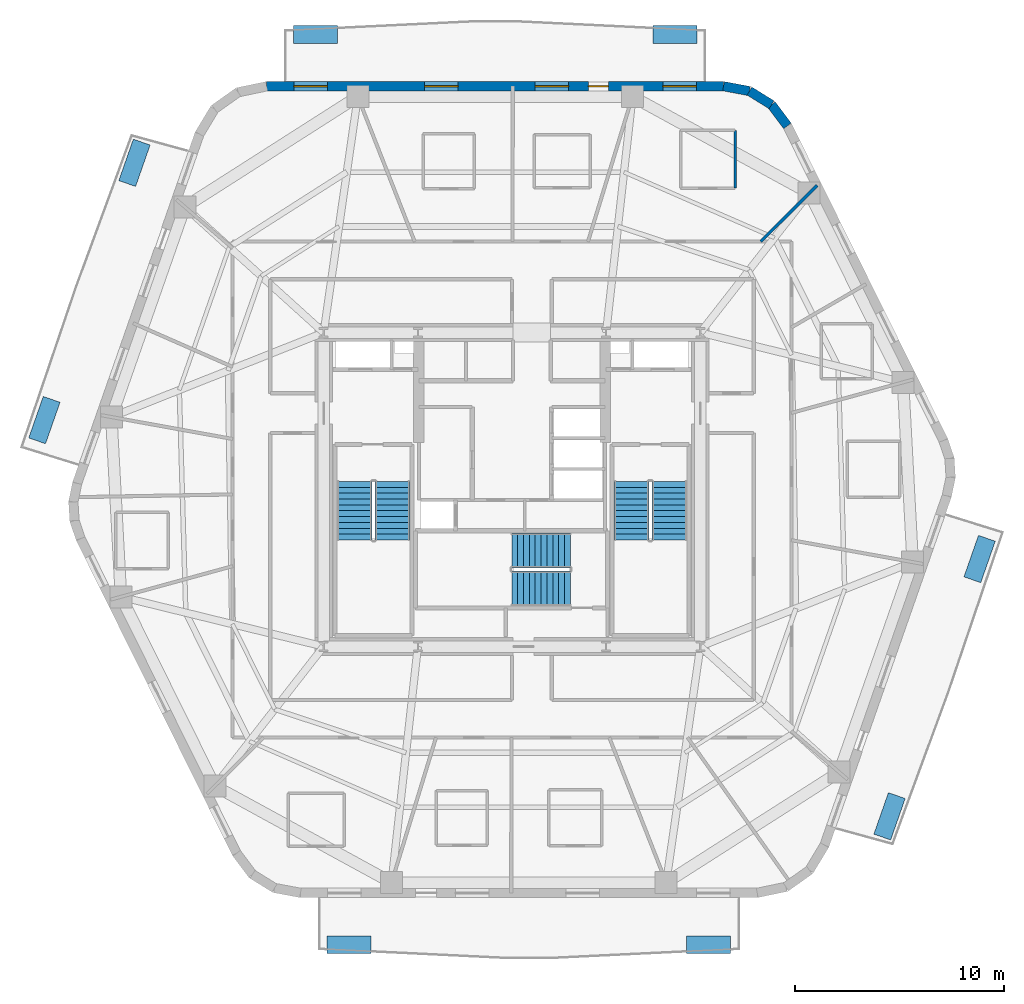
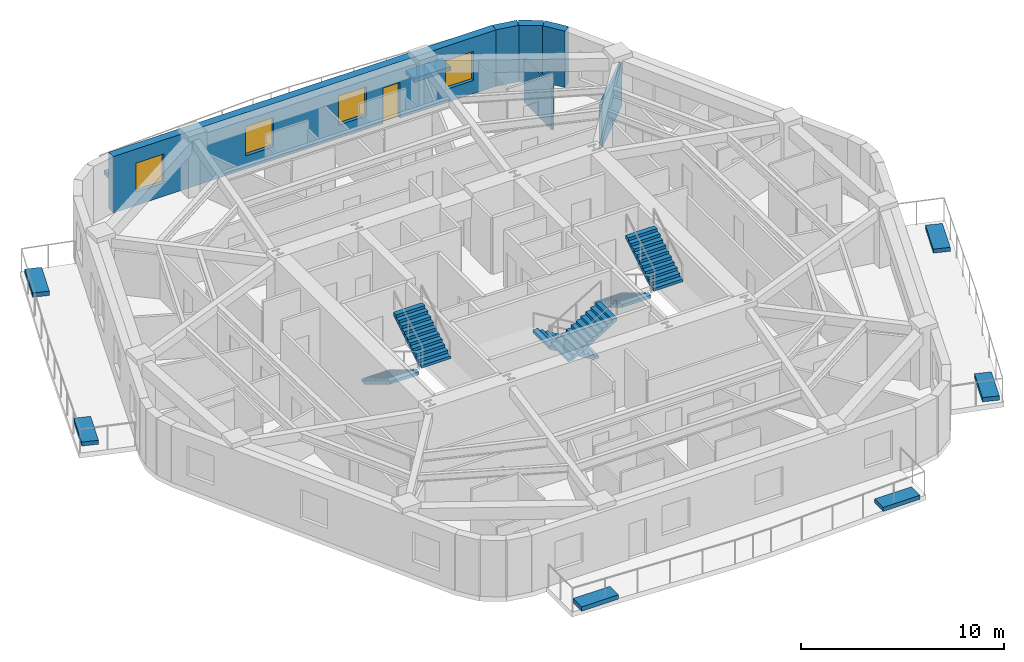
# One storey, part 7 of 11: 8 discrete accessories, 6 stair flights, 6 walls, 4 windows, 1 door, 5 openings, 3 elements without a shape of their own.
"""IFC4 building model written with IfcOpenShell, lengths in metres."""

from ifc_helpers import new_model, si_unit, direction, frame, frame_2d, origin, origin_2d, place, context, subcontext, project, spatial, polyline, rectangle, outline, extrude, material, layer, layer_set, type_object, element, fill, aggregate, save


model = new_model("IFC4")

# Units and contexts
model_context = context("Model", 3, precision=1e-05, world=origin(), true_north=direction((0.0, 1.0)))
body_context = subcontext(model_context, "Body", "Model", "MODEL_VIEW")
ifc_project = project(units=[si_unit("LENGTHUNIT", "METRE"), si_unit("AREAUNIT", "SQUARE_METRE"), si_unit("VOLUMEUNIT", "CUBIC_METRE"), si_unit("PLANEANGLEUNIT", "RADIAN"), si_unit("MASSUNIT", "GRAM", prefix="KILO")], contexts=[model_context])

# Site, building, storey
site_placement = place(None, origin())
site = spatial("IfcSite", under=ifc_project, at=site_placement, CompositionType="ELEMENT")
building_placement = place(site_placement, origin())
building = spatial("IfcBuilding", under=site, at=building_placement, Name="Kilnhurst Terrace Hotel", CompositionType="ELEMENT")
storey_placement = place(building_placement, frame((0.0, 0.0, 159.10009765625)))
storey = spatial("IfcBuildingStorey", under=building, at=storey_placement, Name="L39", CompositionType="ELEMENT", Elevation=159.10009765625)

# Walls
ifc_material_1 = material(Name="Precast concrete C40/50", Category="concrete")
ifc_layer_1 = layer(ifc_material_1, 0.449951171875, Name="Precast concrete C40/50")
ifc_layer_set_1 = layer_set([ifc_layer_1], Name="Precast concrete C40/50")
wall_type_1 = type_object("IfcWallType", Name="WL-BRK-450", PredefinedType="SOLIDWALL", material=ifc_layer_set_1)
wall_1_placement = place(storey_placement, frame((13.162353515625, 17.380615234375, 0.0), z_axis=(0.0, 0.0, 1.0), x_axis=(-0.601515770517, 0.798860925205, 0.0)))
element("IfcWall", 1, at=wall_1_placement, inside=storey, type_object=wall_type_1, Name="L39 Rounded Corner Brick Wall C4.1", PredefinedType="SOLIDWALL", context=body_context, shape_type="SweptSolid", body=[
    extrude(rectangle(XDim=1.261962890625, YDim=0.449951171875, at=frame_2d((0.630859375, 0.0))), origin(), (0.0, 0.0, 1.0), 3.39990234375),
])
wall_2_placement = place(storey_placement, frame((12.4033203125, 18.388671875, 0.0), z_axis=(0.0, 0.0, 1.0), x_axis=(-0.849795170926, 0.527113049991, 0.0)))
element("IfcWall", 2, at=wall_2_placement, inside=storey, type_object=wall_type_1, Name="L39 Rounded Corner Brick Wall C4.2", PredefinedType="SOLIDWALL", context=body_context, shape_type="SweptSolid", body=[
    extrude(rectangle(XDim=1.24072265625, YDim=0.449951171875, at=frame_2d((0.620361328125, 0.0))), origin(), (0.0, 0.0, 1.0), 3.39990234375),
])
wall_3_placement = place(storey_placement, frame((11.348876953125, 19.042724609375, 0.0), z_axis=(0.0, 0.0, 1.0), x_axis=(-0.982931267051, 0.183973161772, 0.0)))
element("IfcWall", 3, at=wall_3_placement, inside=storey, type_object=wall_type_1, Name="L39 Rounded Corner Brick Wall C4.3", PredefinedType="SOLIDWALL", context=body_context, shape_type="SweptSolid", body=[
    extrude(rectangle(XDim=1.261962890625, YDim=0.449951171875, at=frame_2d((0.630859375, 0.0))), origin(), (0.0, 0.0, 1.0), 3.39990234375),
])

# Wall, openings, door, windows
wall_4_placement = place(storey_placement, frame((10.1083984375, 19.27490234375, 0.0), z_axis=(0.0, 0.0, 1.0), x_axis=(-1.0, 0.0, 0.0)))
wall_4 = element("IfcWall", 4, at=wall_4_placement, inside=storey, type_object=wall_type_1, Name="L39 Exterior Brick Facade Wall F4", PredefinedType="SOLIDWALL", context=body_context, shape_type="SweptSolid", body=[
    extrude(rectangle(XDim=21.828857421875, YDim=0.449951171875, at=frame_2d((10.91455078125, 0.0))), origin(), (0.0, 0.0, 1.0), 3.39990234375),
])
opening_1_placement = place(wall_4_placement, frame((5.5029296875, 0.0, 0.0)))
opening_1 = element("IfcOpeningElement", 5, at=opening_1_placement, cuts=wall_4, Name="Opening BD-950", PredefinedType="OPENING", context=body_context, shape_type="SweptSolid", body=[
    extrude(rectangle(XDim=0.949951171875, YDim=2.14990234375, at=frame_2d((0.47509765625, 1.074951171875))), frame((0.0, 0.23486328125, 0.0), z_axis=(0.0, -1.0, 0.0), x_axis=(1.0, 0.0, 0.0)), (0.0, 0.0, 1.0), 0.469970703125),
])
opening_2_placement = place(wall_4_placement, frame((1.297119140625, 0.0, 0.800048828125)))
opening_2 = element("IfcOpeningElement", 6, at=opening_2_placement, cuts=wall_4, Name="Opening W-05", PredefinedType="OPENING", context=body_context, shape_type="SweptSolid", body=[
    extrude(rectangle(XDim=1.60009765625, YDim=1.75, at=frame_2d((0.800048828125, 0.875))), frame((0.0, 0.23486328125, 0.0), z_axis=(0.0, -1.0, 0.0), x_axis=(1.0, 0.0, 0.0)), (0.0, 0.0, 1.0), 0.469970703125),
])
opening_3_placement = place(wall_4_placement, frame((7.402099609375, 0.0, 0.800048828125)))
opening_3 = element("IfcOpeningElement", 7, at=opening_3_placement, cuts=wall_4, Name="Opening W-05", PredefinedType="OPENING", context=body_context, shape_type="SweptSolid", body=[
    extrude(rectangle(XDim=1.60009765625, YDim=1.75, at=frame_2d((0.800048828125, 0.875))), frame((0.0, 0.23486328125, 0.0), z_axis=(0.0, -1.0, 0.0), x_axis=(1.0, 0.0, 0.0)), (0.0, 0.0, 1.0), 0.469970703125),
])
opening_4_placement = place(wall_4_placement, frame((12.68408203125, 0.0, 0.800048828125)))
opening_4 = element("IfcOpeningElement", 8, at=opening_4_placement, cuts=wall_4, Name="Opening W-05", PredefinedType="OPENING", context=body_context, shape_type="SweptSolid", body=[
    extrude(rectangle(XDim=1.60009765625, YDim=1.75, at=frame_2d((0.800048828125, 0.875))), frame((0.0, 0.23486328125, 0.0), z_axis=(0.0, -1.0, 0.0), x_axis=(1.0, 0.0, 0.0)), (0.0, 0.0, 1.0), 0.469970703125),
])
opening_5_placement = place(wall_4_placement, frame((18.93310546875, 0.0, 0.800048828125)))
opening_5 = element("IfcOpeningElement", 9, at=opening_5_placement, cuts=wall_4, Name="Opening W-05", PredefinedType="OPENING", context=body_context, shape_type="SweptSolid", body=[
    extrude(rectangle(XDim=1.60009765625, YDim=1.75, at=frame_2d((0.800048828125, 0.875))), frame((0.0, 0.23486328125, 0.0), z_axis=(0.0, -1.0, 0.0), x_axis=(1.0, 0.0, 0.0)), (0.0, 0.0, 1.0), 0.469970703125),
])
ifc_material_2 = material(Name="Thermally Broken Bronze Aluminium Alloy 6063-T6 and Laminated Glass", Category="aluminium")
door_type = type_object("IfcDoorType", Name="DR-EXT-BAL-950", OperationType="NOTDEFINED", PredefinedType="DOOR", material=ifc_material_2)
door_placement = place(opening_1_placement, origin())
door = element("IfcDoor", 10, at=door_placement, inside=storey, type_object=door_type, Name="L39 Planted Balcony Door BAL-L2A", OperationType="SINGLE_SWING_RIGHT", OverallHeight=2.14990234375, OverallWidth=0.949951171875, PredefinedType="DOOR", context=body_context, shape_type="SweptSolid", body=[
    extrude(rectangle(XDim=0.949951171875, YDim=2.14990234375, at=frame_2d((0.47509765625, 1.074951171875))), frame((0.0, 0.02490234375, 0.0), z_axis=(0.0, -1.0, 0.0), x_axis=(1.0, 0.0, 0.0)), (0.0, 0.0, 1.0), 0.050048828125),
])
fill(opening_1, door)
ifc_material_3 = material(Name="Thermally Broken Bronze Aluminium Alloy 6063-T6 and Low-E Glass", Category="aluminium")
window_type = type_object("IfcWindowType", Name="WIN-1600X1750", PartitioningType="SINGLE_PANEL", PredefinedType="WINDOW", material=ifc_material_3)
window_1_placement = place(opening_2_placement, origin())
window_1 = element("IfcWindow", 11, at=window_1_placement, inside=storey, type_object=window_type, Name="L39 Deep-Set Masonry Window F4.1", OverallHeight=1.75, OverallWidth=1.60009765625, PartitioningType="SINGLE_PANEL", PredefinedType="WINDOW", context=body_context, shape_type="SweptSolid", body=[
    extrude(rectangle(XDim=1.60009765625, YDim=1.75, at=frame_2d((0.800048828125, 0.875))), frame((0.0, 0.030029296875, 0.0), z_axis=(0.0, -1.0, 0.0), x_axis=(1.0, 0.0, 0.0)), (0.0, 0.0, 1.0), 0.06005859375),
])
fill(opening_2, window_1)
window_2_placement = place(opening_3_placement, origin())
window_2 = element("IfcWindow", 12, at=window_2_placement, inside=storey, type_object=window_type, Name="L39 Deep-Set Masonry Window F4.2", OverallHeight=1.75, OverallWidth=1.60009765625, PartitioningType="SINGLE_PANEL", PredefinedType="WINDOW", context=body_context, shape_type="SweptSolid", body=[
    extrude(rectangle(XDim=1.60009765625, YDim=1.75, at=frame_2d((0.800048828125, 0.875))), frame((0.0, 0.030029296875, 0.0), z_axis=(0.0, -1.0, 0.0), x_axis=(1.0, 0.0, 0.0)), (0.0, 0.0, 1.0), 0.06005859375),
])
fill(opening_3, window_2)
window_3_placement = place(opening_4_placement, origin())
window_3 = element("IfcWindow", 13, at=window_3_placement, inside=storey, type_object=window_type, Name="L39 Deep-Set Masonry Window F4.3", OverallHeight=1.75, OverallWidth=1.60009765625, PartitioningType="SINGLE_PANEL", PredefinedType="WINDOW", context=body_context, shape_type="SweptSolid", body=[
    extrude(rectangle(XDim=1.60009765625, YDim=1.75, at=frame_2d((0.800048828125, 0.875))), frame((0.0, 0.030029296875, 0.0), z_axis=(0.0, -1.0, 0.0), x_axis=(1.0, 0.0, 0.0)), (0.0, 0.0, 1.0), 0.06005859375),
])
fill(opening_4, window_3)
window_4_placement = place(opening_5_placement, origin())
window_4 = element("IfcWindow", 14, at=window_4_placement, inside=storey, type_object=window_type, Name="L39 Deep-Set Masonry Window F4.4", OverallHeight=1.75, OverallWidth=1.60009765625, PartitioningType="SINGLE_PANEL", PredefinedType="WINDOW", context=body_context, shape_type="SweptSolid", body=[
    extrude(rectangle(XDim=1.60009765625, YDim=1.75, at=frame_2d((0.800048828125, 0.875))), frame((0.0, 0.030029296875, 0.0), z_axis=(0.0, -1.0, 0.0), x_axis=(1.0, 0.0, 0.0)), (0.0, 0.0, 1.0), 0.06005859375),
])
fill(opening_5, window_4)

# Walls
ifc_material_4 = material(Name="STC-58 Acoustic Twin-Frame Guestroom Demising Partition")
ifc_layer_2 = layer(ifc_material_4, 0.14990234375, Name="STC-58 Acoustic Twin-Frame Guestroom Demising Partition")
ifc_layer_set_2 = layer_set([ifc_layer_2], Name="STC-58 Acoustic Twin-Frame Guestroom Demising Partition")
wall_type_2 = type_object("IfcWallType", Name="WL-DEM-150", PredefinedType="PARTITIONING", material=ifc_layer_set_2)
wall_5_placement = place(storey_placement, frame((11.8818359375, 11.85009765625, 0.0), z_axis=(0.0, 0.0, 1.0), x_axis=(0.708037373639, 0.706174962407, 0.0)))
element("IfcWall", 15, at=wall_5_placement, inside=storey, type_object=wall_type_2, Name="L39 Interior Wall WL-L39-DEM-COL02-03-1", PredefinedType="PARTITIONING", context=body_context, shape_type="SweptSolid", body=[
    extrude(rectangle(XDim=3.801513671875, YDim=0.14990234375, at=frame_2d((1.90087890625, 0.0))), origin(), (0.0, 0.0, 1.0), 2.639892578125),
])
ifc_material_5 = material(Name="120 mm Moisture-Resistant Tile-Backed Bathroom Partition")
ifc_layer_3 = layer(ifc_material_5, 0.1201171875, Name="120 mm Moisture-Resistant Tile-Backed Bathroom Partition")
ifc_layer_set_3 = layer_set([ifc_layer_3], Name="120 mm Moisture-Resistant Tile-Backed Bathroom Partition")
wall_type_3 = type_object("IfcWallType", Name="WL-PART-120", PredefinedType="PARTITIONING", material=ifc_layer_set_3)
wall_6_placement = place(storey_placement, frame((10.657958984375, 14.410888671875, 0.0), z_axis=(0.0, 0.0, 1.0), x_axis=(0.0, 1.0, 0.0)))
element("IfcWall", 16, at=wall_6_placement, inside=storey, type_object=wall_type_3, Name="L39 Interior Wall WL-L39-BTH-03-2", PredefinedType="PARTITIONING", context=body_context, shape_type="SweptSolid", body=[
    extrude(rectangle(XDim=2.75, YDim=0.1201171875, at=frame_2d((1.375, 0.0))), origin(), (0.0, 0.0, 1.0), 2.639892578125),
])

# Stair, stair flights
ifc_material_6 = material(Name="Concrete C50/60", Category="concrete")
stair_type = type_object("IfcStairType", Name="STR-CORE-1660", PredefinedType="HALF_TURN_STAIR", material=ifc_material_6)
stair_1_placement = place(storey_placement, origin())
stair_1 = element("IfcStair", 17, at=stair_1_placement, inside=storey, type_object=stair_type, Name="L39 ST-1", PredefinedType="HALF_TURN_STAIR")
stair_flight_type = type_object("IfcStairFlightType", Name="FLT-RC-1660", PredefinedType="STRAIGHT", material=ifc_material_6)
stair_flight_1_placement = place(storey_placement, frame((-7.52001953125, 0.389892578125, 0.0), z_axis=(0.0, 0.0, 1.0), x_axis=(0.0, -1.0, 0.0)))
stair_flight_1 = element("IfcStairFlight", 18, at=stair_flight_1_placement, type_object=stair_flight_type, Name="ST-1 flight 1", NumberOfRisers=11, NumberOfTreads=10, PredefinedType="STRAIGHT", RiserHeight=0.168181818, TreadLength=0.28, context=body_context, shape_type="SweptSolid", body=[
    extrude(outline(polyline([(0.0, 0.0), (0.0, 0.168212890625), (0.280029296875, 0.168212890625), (0.280029296875, 0.33642578125), (0.56005859375, 0.33642578125), (0.56005859375, 0.504638671875), (0.840087890625, 0.504638671875), (0.840087890625, 0.672607421875), (1.1201171875, 0.672607421875), (1.1201171875, 0.8408203125), (1.39990234375, 0.8408203125), (1.39990234375, 1.009033203125), (1.679931640625, 1.009033203125), (1.679931640625, 1.17724609375), (1.9599609375, 1.17724609375), (1.9599609375, 1.345458984375), (2.239990234375, 1.345458984375), (2.239990234375, 1.513671875), (2.52001953125, 1.513671875), (2.52001953125, 1.681884765625), (2.800048828125, 1.681884765625), (2.800048828125, 1.85009765625), (2.800048828125, 1.5068359375), (0.291015625, 0.0), (0.0, 0.0)])), frame((0.0, 0.830078125, 0.0), z_axis=(0.0, -1.0, 0.0), x_axis=(1.0, 0.0, 0.0)), (0.0, 0.0, 1.0), 1.659912109375),
])
stair_flight_2_placement = place(storey_placement, frame((-5.7099609375, -2.409912109375, 1.849853515625), z_axis=(0.0, 0.0, 1.0), x_axis=(0.0, 1.0, 0.0)))
stair_flight_2 = element("IfcStairFlight", 19, at=stair_flight_2_placement, type_object=stair_flight_type, Name="ST-1 flight 2", NumberOfRisers=11, NumberOfTreads=10, PredefinedType="STRAIGHT", RiserHeight=0.168181818, TreadLength=0.28, context=body_context, shape_type="SweptSolid", body=[
    extrude(outline(polyline([(0.0, 0.0), (0.0, 0.168212890625), (0.280029296875, 0.168212890625), (0.280029296875, 0.33642578125), (0.56005859375, 0.33642578125), (0.56005859375, 0.504638671875), (0.840087890625, 0.504638671875), (0.840087890625, 0.672607421875), (1.1201171875, 0.672607421875), (1.1201171875, 0.8408203125), (1.39990234375, 0.8408203125), (1.39990234375, 1.009033203125), (1.679931640625, 1.009033203125), (1.679931640625, 1.17724609375), (1.9599609375, 1.17724609375), (1.9599609375, 1.345458984375), (2.239990234375, 1.345458984375), (2.239990234375, 1.513671875), (2.52001953125, 1.513671875), (2.52001953125, 1.681884765625), (2.800048828125, 1.681884765625), (2.800048828125, 1.85009765625), (2.800048828125, 1.5068359375), (0.291015625, 0.0), (0.0, 0.0)])), frame((0.0, 0.830078125, 0.0), z_axis=(0.0, -1.0, 0.0), x_axis=(1.0, 0.0, 0.0)), (0.0, 0.0, 1.0), 1.659912109375),
])
aggregate(stair_1, [stair_flight_1, stair_flight_2])

stair_2_placement = place(storey_placement, origin())
stair_2 = element("IfcStair", 20, at=stair_2_placement, inside=storey, type_object=stair_type, Name="L39 ST-2", PredefinedType="HALF_TURN_STAIR")
stair_flight_3_placement = place(storey_placement, frame((5.7099609375, 0.389892578125, 0.0), z_axis=(0.0, 0.0, 1.0), x_axis=(0.0, -1.0, 0.0)))
stair_flight_3 = element("IfcStairFlight", 21, at=stair_flight_3_placement, type_object=stair_flight_type, Name="ST-2 flight 1", NumberOfRisers=11, NumberOfTreads=10, PredefinedType="STRAIGHT", RiserHeight=0.168181818, TreadLength=0.28, context=body_context, shape_type="SweptSolid", body=[
    extrude(outline(polyline([(0.0, 0.0), (0.0, 0.168212890625), (0.280029296875, 0.168212890625), (0.280029296875, 0.33642578125), (0.56005859375, 0.33642578125), (0.56005859375, 0.504638671875), (0.840087890625, 0.504638671875), (0.840087890625, 0.672607421875), (1.1201171875, 0.672607421875), (1.1201171875, 0.8408203125), (1.39990234375, 0.8408203125), (1.39990234375, 1.009033203125), (1.679931640625, 1.009033203125), (1.679931640625, 1.17724609375), (1.9599609375, 1.17724609375), (1.9599609375, 1.345458984375), (2.239990234375, 1.345458984375), (2.239990234375, 1.513671875), (2.52001953125, 1.513671875), (2.52001953125, 1.681884765625), (2.800048828125, 1.681884765625), (2.800048828125, 1.85009765625), (2.800048828125, 1.5068359375), (0.291015625, 0.0), (0.0, 0.0)])), frame((0.0, 0.830078125, 0.0), z_axis=(0.0, -1.0, 0.0), x_axis=(1.0, 0.0, 0.0)), (0.0, 0.0, 1.0), 1.659912109375),
])
stair_flight_4_placement = place(storey_placement, frame((7.52001953125, -2.409912109375, 1.849853515625), z_axis=(0.0, 0.0, 1.0), x_axis=(0.0, 1.0, 0.0)))
stair_flight_4 = element("IfcStairFlight", 22, at=stair_flight_4_placement, type_object=stair_flight_type, Name="ST-2 flight 2", NumberOfRisers=11, NumberOfTreads=10, PredefinedType="STRAIGHT", RiserHeight=0.168181818, TreadLength=0.28, context=body_context, shape_type="SweptSolid", body=[
    extrude(outline(polyline([(0.0, 0.0), (0.0, 0.168212890625), (0.280029296875, 0.168212890625), (0.280029296875, 0.33642578125), (0.56005859375, 0.33642578125), (0.56005859375, 0.504638671875), (0.840087890625, 0.504638671875), (0.840087890625, 0.672607421875), (1.1201171875, 0.672607421875), (1.1201171875, 0.8408203125), (1.39990234375, 0.8408203125), (1.39990234375, 1.009033203125), (1.679931640625, 1.009033203125), (1.679931640625, 1.17724609375), (1.9599609375, 1.17724609375), (1.9599609375, 1.345458984375), (2.239990234375, 1.345458984375), (2.239990234375, 1.513671875), (2.52001953125, 1.513671875), (2.52001953125, 1.681884765625), (2.800048828125, 1.681884765625), (2.800048828125, 1.85009765625), (2.800048828125, 1.5068359375), (0.291015625, 0.0), (0.0, 0.0)])), frame((0.0, 0.830078125, 0.0), z_axis=(0.0, -1.0, 0.0), x_axis=(1.0, 0.0, 0.0)), (0.0, 0.0, 1.0), 1.659912109375),
])
aggregate(stair_2, [stair_flight_3, stair_flight_4])

stair_3_placement = place(storey_placement, origin())
stair_3 = element("IfcStair", 23, at=stair_3_placement, inside=storey, type_object=stair_type, Name="L39 ST-3", PredefinedType="HALF_TURN_STAIR")
stair_flight_5_placement = place(storey_placement, frame((2.7900390625, -2.909912109375, 0.0), z_axis=(0.0, 0.0, 1.0), x_axis=(-1.0, 0.0, 0.0)))
stair_flight_5 = element("IfcStairFlight", 24, at=stair_flight_5_placement, type_object=stair_flight_type, Name="ST-3 flight 1", NumberOfRisers=11, NumberOfTreads=10, PredefinedType="STRAIGHT", RiserHeight=0.168181818, TreadLength=0.28, context=body_context, shape_type="SweptSolid", body=[
    extrude(outline(polyline([(0.0, 0.0), (0.0, 0.168212890625), (0.280029296875, 0.168212890625), (0.280029296875, 0.33642578125), (0.56005859375, 0.33642578125), (0.56005859375, 0.504638671875), (0.840087890625, 0.504638671875), (0.840087890625, 0.672607421875), (1.1201171875, 0.672607421875), (1.1201171875, 0.8408203125), (1.39990234375, 0.8408203125), (1.39990234375, 1.009033203125), (1.679931640625, 1.009033203125), (1.679931640625, 1.17724609375), (1.9599609375, 1.17724609375), (1.9599609375, 1.345458984375), (2.239990234375, 1.345458984375), (2.239990234375, 1.513671875), (2.52001953125, 1.513671875), (2.52001953125, 1.681884765625), (2.800048828125, 1.681884765625), (2.800048828125, 1.85009765625), (2.800048828125, 1.5068359375), (0.291015625, 0.0), (0.0, 0.0)])), frame((0.0, 0.830078125, 0.0), z_axis=(0.0, -1.0, 0.0), x_axis=(1.0, 0.0, 0.0)), (0.0, 0.0, 1.0), 1.659912109375),
])
stair_flight_6_placement = place(storey_placement, frame((-0.010009765625, -4.719970703125, 1.849853515625), z_axis=(0.0, 0.0, 1.0), x_axis=(1.0, 0.0, 0.0)))
stair_flight_6 = element("IfcStairFlight", 25, at=stair_flight_6_placement, type_object=stair_flight_type, Name="ST-3 flight 2", NumberOfRisers=11, NumberOfTreads=10, PredefinedType="STRAIGHT", RiserHeight=0.168181818, TreadLength=0.28, context=body_context, shape_type="SweptSolid", body=[
    extrude(outline(polyline([(0.0, 0.0), (0.0, 0.168212890625), (0.280029296875, 0.168212890625), (0.280029296875, 0.33642578125), (0.56005859375, 0.33642578125), (0.56005859375, 0.504638671875), (0.840087890625, 0.504638671875), (0.840087890625, 0.672607421875), (1.1201171875, 0.672607421875), (1.1201171875, 0.8408203125), (1.39990234375, 0.8408203125), (1.39990234375, 1.009033203125), (1.679931640625, 1.009033203125), (1.679931640625, 1.17724609375), (1.9599609375, 1.17724609375), (1.9599609375, 1.345458984375), (2.239990234375, 1.345458984375), (2.239990234375, 1.513671875), (2.52001953125, 1.513671875), (2.52001953125, 1.681884765625), (2.800048828125, 1.681884765625), (2.800048828125, 1.85009765625), (2.800048828125, 1.5068359375), (0.291015625, 0.0), (0.0, 0.0)])), frame((0.0, 0.830078125, 0.0), z_axis=(0.0, -1.0, 0.0), x_axis=(1.0, 0.0, 0.0)), (0.0, 0.0, 1.0), 1.659912109375),
])
aggregate(stair_3, [stair_flight_5, stair_flight_6])

# Discrete accessories
ifc_material_7 = material(Name="Precast Concrete C40/50 Shrub Planter", Category="concrete")
discrete_accessory_type_1 = type_object("IfcDiscreteAccessoryType", Name="PLN-SHRUB-240", PredefinedType="USERDEFINED", material=ifc_material_7)
for number, where, z_axis, x_axis, name in (
    (26, (9.3935546875, -21.75, 0.0), (0.0, 0.0, 1.0), (1.0, 0.0, 0.0), "L39 Structural Tree Planter Box PLANTER BAL-L1A.2"),
    (27, (22.34619140625, -3.319580078125, 0.0), (0.0, 0.0, 1.0), (0.330432029284, 0.943829790811, 0.0), "L39 Structural Tree Planter Box PLANTER BAL-L1B.2"),
    (28, (-9.3935546875, 21.75, 0.0), (0.0, 0.0, 1.0), (-1.0, 0.0, 0.0), "L39 Structural Tree Planter Box PLANTER BAL-L2A.2"),
    (29, (-22.34619140625, 3.319580078125, 0.0), (0.0, 0.0, 1.0), (-0.330432029284, -0.943829790811, 0.0), "L39 Structural Tree Planter Box PLANTER BAL-L2B.2"),
):
    element("IfcDiscreteAccessory", number, at=place(storey_placement, frame(where, z_axis=z_axis, x_axis=x_axis)), inside=storey, type_object=discrete_accessory_type_1, Name=name, ObjectType="PLANTER", PredefinedType="USERDEFINED", context=body_context, shape_type="SweptSolid", body=[
        extrude(rectangle(XDim=2.10009765625, YDim=0.85009765625, at=origin_2d()), origin(), (0.0, 0.0, 1.0), 0.239990234375),
    ])
ifc_material_8 = material(Name="Precast Concrete C40/50 Tree Planter", Category="concrete")
discrete_accessory_type_2 = type_object("IfcDiscreteAccessoryType", Name="PLN-TREE-260", PredefinedType="USERDEFINED", material=ifc_material_8)
for number, where, z_axis, x_axis, name in (
    (30, (-7.779296875, -21.75, 0.0), (0.0, 0.0, 1.0), (1.0, 0.0, 0.0), "L39 Structural Tree Planter Box PLANTER BAL-L1A.1"),
    (31, (18.04150390625, -15.614990234375, 0.0), (0.0, 0.0, 1.0), (0.330432029284, 0.943829790811, 0.0), "L39 Structural Tree Planter Box PLANTER BAL-L1B.1"),
    (32, (7.779296875, 21.75, 0.0), (0.0, 0.0, 1.0), (-1.0, 0.0, 0.0), "L39 Structural Tree Planter Box PLANTER BAL-L2A.1"),
    (33, (-18.04150390625, 15.614990234375, 0.0), (0.0, 0.0, 1.0), (-0.330432029284, -0.943829790811, 0.0), "L39 Structural Tree Planter Box PLANTER BAL-L2B.1"),
):
    element("IfcDiscreteAccessory", number, at=place(storey_placement, frame(where, z_axis=z_axis, x_axis=x_axis)), inside=storey, type_object=discrete_accessory_type_2, Name=name, ObjectType="PLANTER", PredefinedType="USERDEFINED", context=body_context, shape_type="SweptSolid", body=[
        extrude(rectangle(XDim=2.10009765625, YDim=0.85009765625, at=origin_2d()), origin(), (0.0, 0.0, 1.0), 0.260009765625),
    ])

save(model, "model.ifc")
